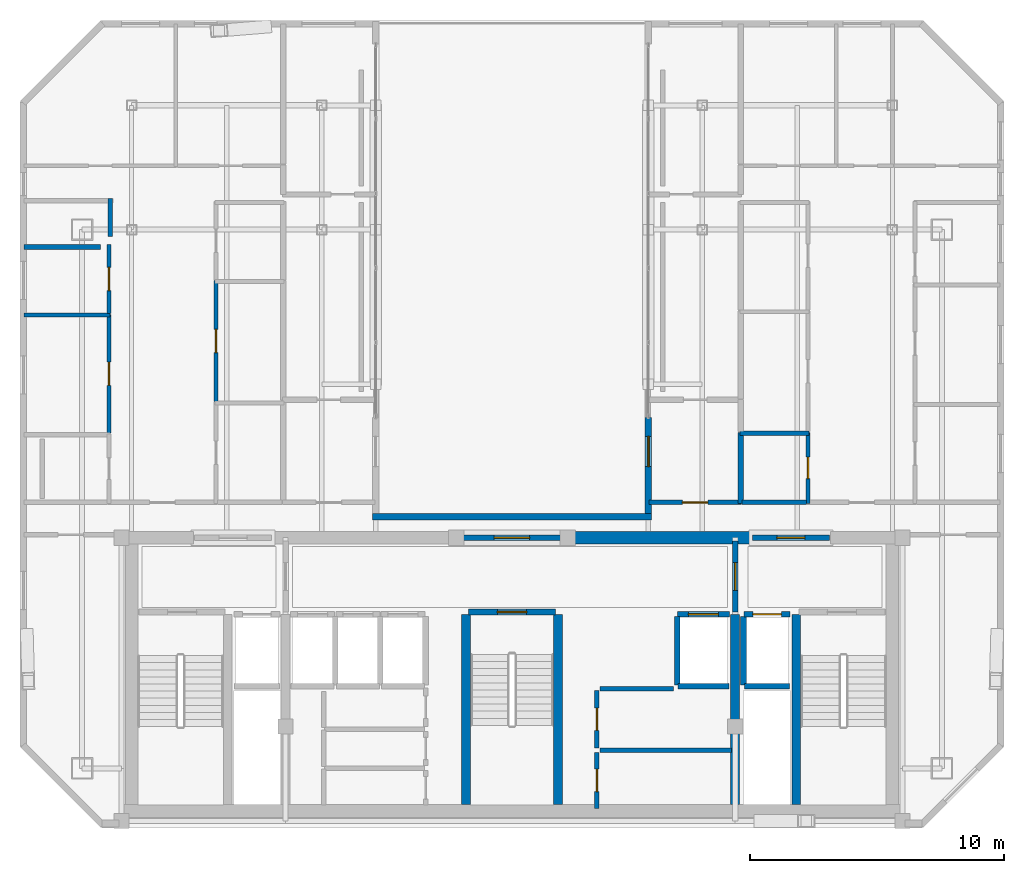
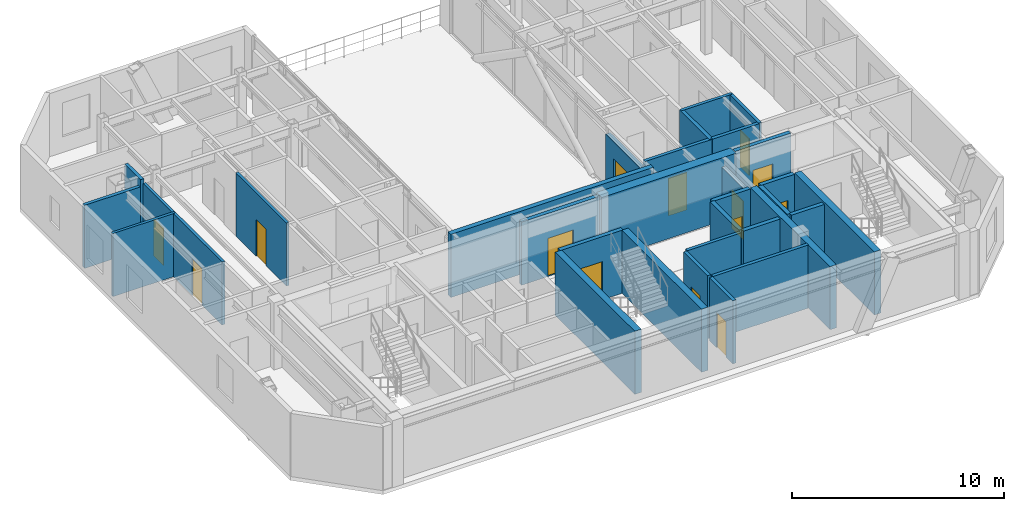
# One storey, part 10 of 14: 32 walls, 14 doors, 14 openings.
"""IFC4 building model written with IfcOpenShell, lengths in metres."""

from ifc_helpers import new_model, si_unit, direction, frame, frame_2d, origin, place, context, subcontext, project, spatial, rectangle, extrude, material, layer, layer_set, type_object, element, fill, save


model = new_model("IFC4")

# Units and contexts
model_context = context("Model", 3, precision=1e-05, world=origin(), true_north=direction((0.0, 1.0)))
body_context = subcontext(model_context, "Body", "Model", "MODEL_VIEW")
ifc_project = project(units=[si_unit("LENGTHUNIT", "METRE"), si_unit("AREAUNIT", "SQUARE_METRE"), si_unit("VOLUMEUNIT", "CUBIC_METRE"), si_unit("PLANEANGLEUNIT", "RADIAN"), si_unit("MASSUNIT", "GRAM", prefix="KILO")], contexts=[model_context])

# Site, building, storey
site_placement = place(None, origin())
site = spatial("IfcSite", under=ifc_project, at=site_placement, CompositionType="ELEMENT")
building_placement = place(site_placement, origin())
building = spatial("IfcBuilding", under=site, at=building_placement, Name="Ventersveld Concourse Tower", CompositionType="ELEMENT")
storey_placement = place(building_placement, frame((0.0, 0.0, 337.5)))
storey = spatial("IfcBuildingStorey", under=building, at=storey_placement, Name="L83", CompositionType="ELEMENT", Elevation=337.5)

# Walls
ifc_material_1 = material(Name="Concrete C50/60", Category="concrete")
ifc_layer_1 = layer(ifc_material_1, 0.35009765625)
ifc_layer_set_1 = layer_set([ifc_layer_1], Name="Concrete C50/60")
wall_type_1 = type_object("IfcWallType", Name="WL-CORE-350U", PredefinedType="SHEAR", material=ifc_layer_set_1)
for number, where, z_axis, x_axis, name in (
    (1, (26.93994140625, 0.919921875, 0.0), (0.0, 0.0, 1.0), (0.0, 1.0, 0.0), "L83 Core Internal Shear Web W-ST3-W"),
    (2, (30.56005859375, 0.919921875, 0.0), (0.0, 0.0, 1.0), (0.0, 1.0, 0.0), "L83 Core Internal Shear Web W-ST3-E"),
    (3, (37.550048828125, 0.919921875, 0.0), (0.0, 0.0, 1.0), (0.0, 1.0, 0.0), "L83 Core Internal Shear Web W-SVL-W"),
    (4, (39.9599609375, 0.919921875, 0.0), (0.0, 0.0, 1.0), (0.0, 1.0, 0.0), "L83 Core Internal Shear Web W-ST2-W"),
):
    element("IfcWall", number, at=place(storey_placement, frame(where, z_axis=z_axis, x_axis=x_axis)), inside=storey, type_object=wall_type_1, Name=name, PredefinedType="SHEAR", context=body_context, shape_type="SweptSolid", body=[
        extrude(rectangle(XDim=7.5, YDim=0.35009765625, at=frame_2d((3.75, 0.0))), origin(), (0.0, 0.0, 1.0), 3.6298828125),
    ])
ifc_layer_2 = layer(ifc_material_1, 0.5)
ifc_layer_set_2 = layer_set([ifc_layer_2], Name="Concrete C50/60")
wall_type_2 = type_object("IfcWallType", Name="WL-CORE-500", PredefinedType="SHEAR", material=ifc_layer_set_2)
wall_1_placement = place(storey_placement, frame((30.89990234375, 11.449951171875, 0.0), z_axis=(0.0, 0.0, 1.0), x_axis=(1.0, 0.0, 0.0)))
element("IfcWall", 5, at=wall_1_placement, inside=storey, type_object=wall_type_2, Name="L83 Rear Core North Shear Wall NMR", PredefinedType="SHEAR", context=body_context, shape_type="SweptSolid", body=[
    extrude(rectangle(XDim=7.300048828125, YDim=0.5, at=frame_2d((3.64990234375, 0.0))), origin(), (0.0, 0.0, 1.0), 3.6298828125),
])

# Wall, opening, door
ifc_material_2 = material(Name="Fire-rated autoclaved aerated masonry blockwork", Category="masonry")
ifc_layer_3 = layer(ifc_material_2, 0.179931640625)
ifc_layer_set_3 = layer_set([ifc_layer_3], Name="Fire-rated autoclaved aerated masonry blockwork")
wall_type_3 = type_object("IfcWallType", Name="WL-CORR-180", PredefinedType="PARTITIONING", material=ifc_layer_set_3)
wall_2_placement = place(storey_placement, frame((32.10009765625, 0.780029296875, 0.0), z_axis=(0.0, 0.0, 1.0), x_axis=(0.0, 1.0, 0.0)))
wall_2 = element("IfcWall", 6, at=wall_2_placement, inside=storey, type_object=wall_type_3, Name="L83 Core Passage Wall SP-L83-RECB2S", PredefinedType="PARTITIONING", context=body_context, shape_type="SweptSolid", body=[
    extrude(rectangle(XDim=2.199951171875, YDim=0.179931640625, at=frame_2d((1.10009765625, 0.0))), origin(), (0.0, 0.0, 1.0), 3.6298828125),
])
opening_1_placement = place(wall_2_placement, frame((0.659912109375, 0.0, 0.0)))
opening_1 = element("IfcOpeningElement", 7, at=opening_1_placement, cuts=wall_2, Name="Opening FD5", PredefinedType="OPENING", context=body_context, shape_type="SweptSolid", body=[
    extrude(rectangle(XDim=0.8798828125, YDim=2.050048828125, at=frame_2d((0.43994140625, 1.02490234375))), frame((0.0, 0.10009765625, 0.0), z_axis=(0.0, -1.0, 0.0), x_axis=(1.0, 0.0, 0.0)), (0.0, 0.0, 1.0), 0.199951171875),
])
ifc_material_3 = material(Name="Galvanised painted steel", Category="steel")
door_type_1 = type_object("IfcDoorType", Name="DR-RISER-088", OperationType="NOTDEFINED", PredefinedType="DOOR", material=ifc_material_3)
door_1_placement = place(opening_1_placement, origin())
door_1 = element("IfcDoor", 8, at=door_1_placement, inside=storey, type_object=door_type_1, Name="L83 Core Room Door L83 Reclaimed Core Quiet Library Pod (CD-L83-3739)", OperationType="SINGLE_SWING_RIGHT", OverallHeight=2.050048828125, OverallWidth=0.8798828125, PredefinedType="DOOR", context=body_context, shape_type="SweptSolid", body=[
    extrude(rectangle(XDim=0.8798828125, YDim=2.050048828125, at=frame_2d((0.43994140625, 1.02490234375))), frame((0.0, 0.02490234375, 0.0), z_axis=(0.0, -1.0, 0.0), x_axis=(1.0, 0.0, 0.0)), (0.0, 0.0, 1.0), 0.050048828125),
])
fill(opening_1, door_1)

# Wall
wall_3_placement = place(storey_placement, frame((32.219970703125, 3.06005859375, 0.0), z_axis=(0.0, 0.0, 1.0), x_axis=(1.0, 0.0, 0.0)))
element("IfcWall", 9, at=wall_3_placement, inside=storey, type_object=wall_type_3, Name="L83 Core Top Wall SP-L83-RECB2S", PredefinedType="PARTITIONING", context=body_context, shape_type="SweptSolid", body=[
    extrude(rectangle(XDim=5.179931640625, YDim=0.179931640625, at=frame_2d((2.58984375, 0.0))), origin(), (0.0, 0.0, 1.0), 3.6298828125),
])

# Wall, opening, door
wall_4_placement = place(storey_placement, frame((32.10009765625, 3.159912109375, 0.0), z_axis=(0.0, 0.0, 1.0), x_axis=(0.0, 1.0, 0.0)))
wall_4 = element("IfcWall", 10, at=wall_4_placement, inside=storey, type_object=wall_type_3, Name="L83 Core Passage Wall SP-L83-RECB2N", PredefinedType="PARTITIONING", context=body_context, shape_type="SweptSolid", body=[
    extrude(rectangle(XDim=2.260009765625, YDim=0.179931640625, at=frame_2d((1.1298828125, 0.0))), origin(), (0.0, 0.0, 1.0), 3.6298828125),
])
opening_2_placement = place(wall_4_placement, frame((0.68994140625, 0.0, 0.0)))
opening_2 = element("IfcOpeningElement", 11, at=opening_2_placement, cuts=wall_4, Name="Opening FD5", PredefinedType="OPENING", context=body_context, shape_type="SweptSolid", body=[
    extrude(rectangle(XDim=0.8798828125, YDim=2.050048828125, at=frame_2d((0.43994140625, 1.02490234375))), frame((0.0, 0.10009765625, 0.0), z_axis=(0.0, -1.0, 0.0), x_axis=(1.0, 0.0, 0.0)), (0.0, 0.0, 1.0), 0.199951171875),
])
door_2_placement = place(opening_2_placement, origin())
door_2 = element("IfcDoor", 12, at=door_2_placement, inside=storey, type_object=door_type_1, Name="L83 Core Room Door L83 Reclaimed Core Music Practice Room (CD-L83-3740)", OperationType="SINGLE_SWING_LEFT", OverallHeight=2.050048828125, OverallWidth=0.8798828125, PredefinedType="DOOR", context=body_context, shape_type="SweptSolid", body=[
    extrude(rectangle(XDim=0.8798828125, YDim=2.050048828125, at=frame_2d((0.43994140625, 1.02490234375))), frame((0.0, 0.02490234375, 0.0), z_axis=(0.0, -1.0, 0.0), x_axis=(1.0, 0.0, 0.0)), (0.0, 0.0, 1.0), 0.050048828125),
])
fill(opening_2, door_2)

# Wall
wall_5_placement = place(storey_placement, frame((32.219970703125, 5.5, 0.0), z_axis=(0.0, 0.0, 1.0), x_axis=(1.0, 0.0, 0.0)))
element("IfcWall", 13, at=wall_5_placement, inside=storey, type_object=wall_type_3, Name="L83 Core Top Wall SP-L83-RECB2N", PredefinedType="PARTITIONING", context=body_context, shape_type="SweptSolid", body=[
    extrude(rectangle(XDim=2.900146484375, YDim=0.179931640625, at=frame_2d((1.4501953125, 0.0))), origin(), (0.0, 0.0, 1.0), 3.6298828125),
])

# Wall, opening, door
wall_6_placement = place(storey_placement, frame((34.1494140625, 12.840087890625, 0.0), z_axis=(0.0, 0.0, 1.0), x_axis=(1.0, 0.0, 0.0)))
wall_6 = element("IfcWall", 14, at=wall_6_placement, inside=storey, type_object=wall_type_3, Name="L83 Interior Partition SP-L83-COR-E-SP-L83-WPLNG-E", PredefinedType="PARTITIONING", context=body_context, shape_type="SweptSolid", body=[
    extrude(rectangle(XDim=3.6455078125, YDim=0.179931640625, at=frame_2d((1.82275390625, 0.0))), origin(), (0.0, 0.0, 1.0), 3.6298828125),
])
opening_3_placement = place(wall_6_placement, frame((1.32275390625, 0.0, 0.0)))
opening_3 = element("IfcOpeningElement", 15, at=opening_3_placement, cuts=wall_6, Name="Opening FD3", PredefinedType="OPENING", context=body_context, shape_type="SweptSolid", body=[
    extrude(rectangle(XDim=1.0, YDim=2.14990234375, at=frame_2d((0.5, 1.074951171875))), frame((0.0, 0.10009765625, 0.0), z_axis=(0.0, -1.0, 0.0), x_axis=(1.0, 0.0, 0.0)), (0.0, 0.0, 1.0), 0.199951171875),
])
ifc_material_4 = material(Name="Solid-core hardwood veneer timber", Category="wood")
door_type_2 = type_object("IfcDoorType", Name="DR-FLAT-100", OperationType="NOTDEFINED", PredefinedType="DOOR", material=ifc_material_4)
door_3_placement = place(opening_3_placement, origin())
door_3 = element("IfcDoor", 16, at=door_3_placement, inside=storey, type_object=door_type_2, Name="L83 Interior Door SP-L83-COR-E to SP-L83-WPLNG-E (D-L83-3745)", OperationType="SINGLE_SWING_LEFT", OverallHeight=2.14990234375, OverallWidth=1.0, PredefinedType="DOOR", context=body_context, shape_type="SweptSolid", body=[
    extrude(rectangle(XDim=1.0, YDim=2.14990234375, at=frame_2d((0.5, 1.074951171875))), frame((0.0, 0.02490234375, 0.0), z_axis=(0.0, -1.0, 0.0), x_axis=(1.0, 0.0, 0.0)), (0.0, 0.0, 1.0), 0.050048828125),
])
fill(opening_3, door_3)

# Walls
wall_7_placement = place(storey_placement, frame((37.824951171875, 12.840087890625, 0.0), z_axis=(0.0, 0.0, 1.0), x_axis=(1.0, 0.0, 0.0)))
element("IfcWall", 17, at=wall_7_placement, inside=storey, type_object=wall_type_3, Name="L83 Interior Partition SP-L83-COR-E-SP-L83-83EB-BATH", PredefinedType="PARTITIONING", context=body_context, shape_type="SweptSolid", body=[
    extrude(rectangle(XDim=2.536865234375, YDim=0.179931640625, at=frame_2d((1.2685546875, 0.0))), origin(), (0.0, 0.0, 1.0), 3.6298828125),
])
wall_8_placement = place(storey_placement, frame((12.91455078125, 23.3291015625, 0.0), z_axis=(0.0, 0.0, 1.0), x_axis=(0.0, 1.0, 0.0)))
element("IfcWall", 18, at=wall_8_placement, inside=storey, type_object=wall_type_3, Name="L83 Room Enclosure Wall SP-L83-83WA-LIV", PredefinedType="PARTITIONING", context=body_context, shape_type="SweptSolid", body=[
    extrude(rectangle(XDim=1.499755859375, YDim=0.179931640625, at=frame_2d((0.75, 0.0))), origin(), (0.0, 0.0, 1.0), 3.6298828125),
])
wall_9_placement = place(storey_placement, frame((9.497802734375, 22.913818359375, 0.0), z_axis=(0.0, 0.0, 1.0), x_axis=(1.0, 0.0, 0.0)))
element("IfcWall", 19, at=wall_9_placement, inside=storey, type_object=wall_type_3, Name="L83 Room Enclosure Wall SP-L83-83WA-MEDL2", PredefinedType="PARTITIONING", context=body_context, shape_type="SweptSolid", body=[
    extrude(rectangle(XDim=3.03173828125, YDim=0.179931640625, at=frame_2d((1.515869140625, 0.0))), origin(), (0.0, 0.0, 1.0), 3.6298828125),
])
ifc_layer_4 = layer(ifc_material_2, 0.199951171875)
ifc_layer_set_4 = layer_set([ifc_layer_4], Name="Fire-rated autoclaved aerated masonry blockwork")
wall_type_4 = type_object("IfcWallType", Name="WL-DEMISE-200", PredefinedType="PARTITIONING", material=ifc_layer_set_4)
wall_10_placement = place(storey_placement, frame((37.77001953125, 12.804931640625, 0.0), z_axis=(0.0, 0.0, 1.0), x_axis=(0.0, 1.0, 0.0)))
element("IfcWall", 20, at=wall_10_placement, inside=storey, type_object=wall_type_4, Name="L83 Interior Partition SP-L83-WPLNG-E-SP-L83-83EB-BATH", PredefinedType="PARTITIONING", context=body_context, shape_type="SweptSolid", body=[
    extrude(rectangle(XDim=2.802001953125, YDim=0.199951171875, at=frame_2d((1.40087890625, 0.0))), origin(), (0.0, 0.0, 1.0), 3.6298828125),
])
ifc_layer_5 = layer(ifc_material_2, 0.219970703125)
ifc_layer_set_5 = layer_set([ifc_layer_5], Name="Fire-rated autoclaved aerated masonry blockwork")
wall_type_5 = type_object("IfcWallType", Name="WL-HOIST-220", PredefinedType="SOLIDWALL", material=ifc_layer_set_5)
wall_11_placement = place(storey_placement, frame((37.919921875, 5.590087890625, 0.0), z_axis=(0.0, 0.0, 1.0), x_axis=(1.0, 0.0, 0.0)))
element("IfcWall", 21, at=wall_11_placement, inside=storey, type_object=wall_type_5, Name="L83 Lift Hoistway Back Wall FFL-02", PredefinedType="SOLIDWALL", context=body_context, shape_type="SweptSolid", body=[
    extrude(rectangle(XDim=1.780029296875, YDim=0.219970703125, at=frame_2d((0.89013671875, 0.0))), origin(), (0.0, 0.0, 1.0), 3.6298828125),
])
wall_12_placement = place(storey_placement, frame((37.8798828125, 5.64990234375, 0.0), z_axis=(0.0, 0.0, 1.0), x_axis=(0.0, 1.0, 0.0)))
element("IfcWall", 22, at=wall_12_placement, inside=storey, type_object=wall_type_5, Name="L83 Lift Hoistway Side Wall FFL-02W", PredefinedType="SOLIDWALL", context=body_context, shape_type="SweptSolid", body=[
    extrude(rectangle(XDim=2.7001953125, YDim=0.219970703125, at=frame_2d((1.35009765625, 0.0))), origin(), (0.0, 0.0, 1.0), 3.6298828125),
])

# Wall, opening, door
wall_13_placement = place(storey_placement, frame((37.89990234375, 8.429931640625, 0.0), z_axis=(0.0, 0.0, 1.0), x_axis=(1.0, 0.0, 0.0)))
wall_13 = element("IfcWall", 23, at=wall_13_placement, inside=storey, type_object=wall_type_5, Name="L83 Lift Hoistway Front Wall FFL-02", PredefinedType="SOLIDWALL", context=body_context, shape_type="SweptSolid", body=[
    extrude(rectangle(XDim=1.820068359375, YDim=0.219970703125, at=frame_2d((0.91015625, 0.0))), origin(), (0.0, 0.0, 1.0), 3.6298828125),
])
opening_4_placement = place(wall_13_placement, frame((0.35009765625, 0.0, 0.0)))
opening_4 = element("IfcOpeningElement", 24, at=opening_4_placement, cuts=wall_13, Name="Opening LD1", PredefinedType="OPENING", context=body_context, shape_type="SweptSolid", body=[
    extrude(rectangle(XDim=1.1201171875, YDim=2.25, at=frame_2d((0.56005859375, 1.125))), frame((0.0, 0.1201171875, 0.0), z_axis=(0.0, -1.0, 0.0), x_axis=(1.0, 0.0, 0.0)), (0.0, 0.0, 1.0), 0.239990234375),
])
ifc_material_5 = material(Name="Brushed stainless steel 316", Category="steel")
door_type_3 = type_object("IfcDoorType", Name="LD-FF-112", OperationType="SLIDING_TO_LEFT", PredefinedType="DOOR", material=ifc_material_5)
door_4_placement = place(opening_4_placement, origin())
door_4 = element("IfcDoor", 25, at=door_4_placement, inside=storey, type_object=door_type_3, Name="L83 Lift landing door FFL-02 (LD-L83-FFL-02)", OperationType="SLIDING_TO_LEFT", OverallHeight=2.25, OverallWidth=1.1201171875, PredefinedType="DOOR", context=body_context, shape_type="SweptSolid", body=[
    extrude(rectangle(XDim=1.1201171875, YDim=2.25, at=frame_2d((0.56005859375, 1.125))), frame((0.0, 0.02490234375, 0.0), z_axis=(0.0, -1.0, 0.0), x_axis=(1.0, 0.0, 0.0)), (0.0, 0.0, 1.0), 0.050048828125),
])
fill(opening_4, door_4)

# Walls
wall_14_placement = place(storey_placement, frame((35.300048828125, 5.590087890625, 0.0), z_axis=(0.0, 0.0, 1.0), x_axis=(1.0, 0.0, 0.0)))
element("IfcWall", 26, at=wall_14_placement, inside=storey, type_object=wall_type_5, Name="L83 Lift Hoistway Back Wall SVL-01", PredefinedType="SOLIDWALL", context=body_context, shape_type="SweptSolid", body=[
    extrude(rectangle(XDim=2.0, YDim=0.219970703125, at=frame_2d((1.0, 0.0))), origin(), (0.0, 0.0, 1.0), 3.6298828125),
])
wall_15_placement = place(storey_placement, frame((35.260009765625, 5.64990234375, 0.0), z_axis=(0.0, 0.0, 1.0), x_axis=(0.0, 1.0, 0.0)))
element("IfcWall", 27, at=wall_15_placement, inside=storey, type_object=wall_type_5, Name="L83 Lift Hoistway Side Wall SVL-01W", PredefinedType="SOLIDWALL", context=body_context, shape_type="SweptSolid", body=[
    extrude(rectangle(XDim=2.7001953125, YDim=0.219970703125, at=frame_2d((1.35009765625, 0.0))), origin(), (0.0, 0.0, 1.0), 3.6298828125),
])

# Wall, opening, door
wall_16_placement = place(storey_placement, frame((35.280029296875, 8.429931640625, 0.0), z_axis=(0.0, 0.0, 1.0), x_axis=(1.0, 0.0, 0.0)))
wall_16 = element("IfcWall", 28, at=wall_16_placement, inside=storey, type_object=wall_type_5, Name="L83 Lift Hoistway Front Wall SVL-01", PredefinedType="SOLIDWALL", context=body_context, shape_type="SweptSolid", body=[
    extrude(rectangle(XDim=2.0400390625, YDim=0.219970703125, at=frame_2d((1.02001953125, 0.0))), origin(), (0.0, 0.0, 1.0), 3.6298828125),
])
opening_5_placement = place(wall_16_placement, frame((0.429931640625, 0.0, 0.0)))
opening_5 = element("IfcOpeningElement", 29, at=opening_5_placement, cuts=wall_16, Name="Opening LD2", PredefinedType="OPENING", context=body_context, shape_type="SweptSolid", body=[
    extrude(rectangle(XDim=1.179931640625, YDim=2.199951171875, at=frame_2d((0.58984375, 1.10009765625))), frame((0.0, 0.1201171875, 0.0), z_axis=(0.0, -1.0, 0.0), x_axis=(1.0, 0.0, 0.0)), (0.0, 0.0, 1.0), 0.239990234375),
])
door_type_4 = type_object("IfcDoorType", Name="LD-PAX-118", OperationType="SLIDING_TO_LEFT", PredefinedType="DOOR", material=ifc_material_5)
door_5_placement = place(opening_5_placement, origin())
door_5 = element("IfcDoor", 30, at=door_5_placement, inside=storey, type_object=door_type_4, Name="L83 Lift landing door SVL-01 (LD-L83-SVL-01)", OperationType="SLIDING_TO_RIGHT", OverallHeight=2.199951171875, OverallWidth=1.179931640625, PredefinedType="DOOR", context=body_context, shape_type="SweptSolid", body=[
    extrude(rectangle(XDim=1.179931640625, YDim=2.199951171875, at=frame_2d((0.58984375, 1.10009765625))), frame((0.0, 0.02490234375, 0.0), z_axis=(0.0, -1.0, 0.0), x_axis=(1.0, 0.0, 0.0)), (0.0, 0.0, 1.0), 0.050048828125),
])
fill(opening_5, door_5)

wall_17_placement = place(storey_placement, frame((27.0400390625, 8.52001953125, 0.0), z_axis=(0.0, 0.0, 1.0), x_axis=(1.0, 0.0, 0.0)))
wall_17 = element("IfcWall", 31, at=wall_17_placement, inside=storey, type_object=wall_type_5, Name="L83 Escape Stair ST03 Fire Wall", PredefinedType="SOLIDWALL", context=body_context, shape_type="SweptSolid", body=[
    extrude(rectangle(XDim=3.419921875, YDim=0.219970703125, at=frame_2d((1.7099609375, 0.0))), origin(), (0.0, 0.0, 1.0), 3.6298828125),
])
opening_6_placement = place(wall_17_placement, frame((1.135009765625, 0.0, 0.0)))
opening_6 = element("IfcOpeningElement", 32, at=opening_6_placement, cuts=wall_17, Name="Opening FD1", PredefinedType="OPENING", context=body_context, shape_type="SweptSolid", body=[
    extrude(rectangle(XDim=1.14990234375, YDim=2.199951171875, at=frame_2d((0.574951171875, 1.10009765625))), frame((0.0, 0.1201171875, 0.0), z_axis=(0.0, -1.0, 0.0), x_axis=(1.0, 0.0, 0.0)), (0.0, 0.0, 1.0), 0.239990234375),
])
door_type_5 = type_object("IfcDoorType", Name="DR-STAIR-115", OperationType="NOTDEFINED", PredefinedType="DOOR", material=ifc_material_3)
door_6_placement = place(opening_6_placement, origin())
door_6 = element("IfcDoor", 33, at=door_6_placement, inside=storey, type_object=door_type_5, Name="L83 Escape Stair Door ST03 (SD-L83-3730)", OperationType="SINGLE_SWING_LEFT", OverallHeight=2.199951171875, OverallWidth=1.14990234375, PredefinedType="DOOR", context=body_context, shape_type="SweptSolid", body=[
    extrude(rectangle(XDim=1.14990234375, YDim=2.199951171875, at=frame_2d((0.574951171875, 1.10009765625))), frame((0.0, 0.02490234375, 0.0), z_axis=(0.0, -1.0, 0.0), x_axis=(1.0, 0.0, 0.0)), (0.0, 0.0, 1.0), 0.050048828125),
])
fill(opening_6, door_6)

wall_18_placement = place(storey_placement, frame((37.550048828125, 8.52001953125, 0.0), z_axis=(0.0, 0.0, 1.0), x_axis=(0.0, 1.0, 0.0)))
wall_18 = element("IfcWall", 34, at=wall_18_placement, inside=storey, type_object=wall_type_5, Name="L83 Firefighting Lobby Smoke-Stop Wall FFLE-SEP", PredefinedType="SOLIDWALL", context=body_context, shape_type="SweptSolid", body=[
    extrude(rectangle(XDim=2.800048828125, YDim=0.219970703125, at=frame_2d((1.39990234375, 0.0))), origin(), (0.0, 0.0, 1.0), 3.08544921875),
])
opening_7_placement = place(wall_18_placement, frame((0.85009765625, 0.0, 0.0)))
opening_7 = element("IfcOpeningElement", 35, at=opening_7_placement, cuts=wall_18, Name="Opening FD2", PredefinedType="OPENING", context=body_context, shape_type="SweptSolid", body=[
    extrude(rectangle(XDim=1.10009765625, YDim=2.199951171875, at=frame_2d((0.550048828125, 1.10009765625))), frame((0.0, 0.1201171875, 0.0), z_axis=(0.0, -1.0, 0.0), x_axis=(1.0, 0.0, 0.0)), (0.0, 0.0, 1.0), 0.239990234375),
])
door_type_6 = type_object("IfcDoorType", Name="DR-FFL-110", OperationType="NOTDEFINED", PredefinedType="DOOR", material=ifc_material_3)
door_7_placement = place(opening_7_placement, origin())
door_7 = element("IfcDoor", 36, at=door_7_placement, inside=storey, type_object=door_type_6, Name="L83 Firefighting Lobby Door FFLE-SEP (FD-L83-3732)", OperationType="SINGLE_SWING_RIGHT", OverallHeight=2.199951171875, OverallWidth=1.10009765625, PredefinedType="DOOR", context=body_context, shape_type="SweptSolid", body=[
    extrude(rectangle(XDim=1.10009765625, YDim=2.199951171875, at=frame_2d((0.550048828125, 1.10009765625))), frame((0.0, 0.02490234375, 0.0), z_axis=(0.0, -1.0, 0.0), x_axis=(1.0, 0.0, 0.0)), (0.0, 0.0, 1.0), 0.050048828125),
])
fill(opening_7, door_7)

wall_19_placement = place(storey_placement, frame((26.6298828125, 11.449951171875, 0.0), z_axis=(0.0, 0.0, 1.0), x_axis=(1.0, 0.0, 0.0)))
wall_19 = element("IfcWall", 37, at=wall_19_placement, inside=storey, type_object=wall_type_5, Name="L83 Core North Fire Portal PLOB-OUT", PredefinedType="SOLIDWALL", context=body_context, shape_type="SweptSolid", body=[
    extrude(rectangle(XDim=4.240234375, YDim=0.219970703125, at=frame_2d((2.1201171875, 0.0))), origin(), (0.0, 0.0, 1.0), 3.6298828125),
])
opening_8_placement = place(wall_19_placement, frame((1.419921875, 0.0, 0.0)))
opening_8 = element("IfcOpeningElement", 38, at=opening_8_placement, cuts=wall_19, Name="Opening FD4", PredefinedType="OPENING", context=body_context, shape_type="SweptSolid", body=[
    extrude(rectangle(XDim=1.39990234375, YDim=2.199951171875, at=frame_2d((0.699951171875, 1.10009765625))), frame((0.0, 0.1201171875, 0.0), z_axis=(0.0, -1.0, 0.0), x_axis=(1.0, 0.0, 0.0)), (0.0, 0.0, 1.0), 0.239990234375),
])
door_type_7 = type_object("IfcDoorType", Name="DR-PLANT-140", OperationType="DOUBLE_DOOR_SINGLE_SWING", PredefinedType="DOOR", material=ifc_material_3)
door_8_placement = place(opening_8_placement, origin())
door_8 = element("IfcDoor", 39, at=door_8_placement, inside=storey, type_object=door_type_7, Name="L83 Core Lobby Fire Door PLOB-OUT (FD-L83-3734)", OperationType="DOUBLE_DOOR_SINGLE_SWING", OverallHeight=2.199951171875, OverallWidth=1.39990234375, PredefinedType="DOOR", context=body_context, shape_type="SweptSolid", body=[
    extrude(rectangle(XDim=1.39990234375, YDim=2.199951171875, at=frame_2d((0.699951171875, 1.10009765625))), frame((0.0, 0.02490234375, 0.0), z_axis=(0.0, -1.0, 0.0), x_axis=(1.0, 0.0, 0.0)), (0.0, 0.0, 1.0), 0.050048828125),
])
fill(opening_8, door_8)

wall_20_placement = place(storey_placement, frame((38.22998046875, 11.449951171875, 0.0), z_axis=(0.0, 0.0, 1.0), x_axis=(1.0, 0.0, 0.0)))
wall_20 = element("IfcWall", 40, at=wall_20_placement, inside=storey, type_object=wall_type_5, Name="L83 Core North Fire Portal FFLE-OUT", PredefinedType="SOLIDWALL", context=body_context, shape_type="SweptSolid", body=[
    extrude(rectangle(XDim=3.0400390625, YDim=0.219970703125, at=frame_2d((1.52001953125, 0.0))), origin(), (0.0, 0.0, 1.0), 3.6298828125),
])
opening_9_placement = place(wall_20_placement, frame((0.969970703125, 0.0, 0.0)))
opening_9 = element("IfcOpeningElement", 41, at=opening_9_placement, cuts=wall_20, Name="Opening FD2", PredefinedType="OPENING", context=body_context, shape_type="SweptSolid", body=[
    extrude(rectangle(XDim=1.10009765625, YDim=2.199951171875, at=frame_2d((0.550048828125, 1.10009765625))), frame((0.0, 0.1201171875, 0.0), z_axis=(0.0, -1.0, 0.0), x_axis=(1.0, 0.0, 0.0)), (0.0, 0.0, 1.0), 0.239990234375),
])
door_9_placement = place(opening_9_placement, origin())
door_9 = element("IfcDoor", 42, at=door_9_placement, inside=storey, type_object=door_type_6, Name="L83 Core Lobby Fire Door FFLE-OUT (FD-L83-3735)", OperationType="SINGLE_SWING_LEFT", OverallHeight=2.199951171875, OverallWidth=1.10009765625, PredefinedType="DOOR", context=body_context, shape_type="SweptSolid", body=[
    extrude(rectangle(XDim=1.10009765625, YDim=2.199951171875, at=frame_2d((0.550048828125, 1.10009765625))), frame((0.0, 0.02490234375, 0.0), z_axis=(0.0, -1.0, 0.0), x_axis=(1.0, 0.0, 0.0)), (0.0, 0.0, 1.0), 0.050048828125),
])
fill(opening_9, door_9)

ifc_material_6 = material(Name="Autoclaved aerated masonry blockwork", Category="masonry")
ifc_layer_6 = layer(ifc_material_6, 0.14990234375)
ifc_layer_set_6 = layer_set([ifc_layer_6], Name="Autoclaved aerated masonry blockwork")
wall_type_6 = type_object("IfcWallType", Name="WL-INT-150", PredefinedType="PARTITIONING", material=ifc_layer_set_6)
wall_21_placement = place(storey_placement, frame((12.8544921875, 15.572998046875, 0.0), z_axis=(0.0, 0.0, 1.0), x_axis=(0.0, 1.0, 0.0)))
wall_21 = element("IfcWall", 43, at=wall_21_placement, inside=storey, type_object=wall_type_6, Name="L83 Interior Partition SP-L83-83WA-LIV-SP-L83-83WA-MEDL0", PredefinedType="PARTITIONING", context=body_context, shape_type="SweptSolid", body=[
    extrude(rectangle(XDim=4.688232421875, YDim=0.14990234375, at=frame_2d((2.34423828125, 0.0))), origin(), (0.0, 0.0, 1.0), 3.6298828125),
])
opening_10_placement = place(wall_21_placement, frame((1.88427734375, 0.0, 0.0)))
opening_10 = element("IfcOpeningElement", 44, at=opening_10_placement, cuts=wall_21, Name="Opening ID1", PredefinedType="OPENING", context=body_context, shape_type="SweptSolid", body=[
    extrude(rectangle(XDim=0.919921875, YDim=2.10009765625, at=frame_2d((0.4599609375, 1.050048828125))), frame((0.0, 0.0849609375, 0.0), z_axis=(0.0, -1.0, 0.0), x_axis=(1.0, 0.0, 0.0)), (0.0, 0.0, 1.0), 0.169921875),
])
door_type_8 = type_object("IfcDoorType", Name="DR-ROOM-092", OperationType="NOTDEFINED", PredefinedType="DOOR", material=ifc_material_4)
door_10_placement = place(opening_10_placement, origin())
door_10 = element("IfcDoor", 45, at=door_10_placement, inside=storey, type_object=door_type_8, Name="L83 Interior Door SP-L83-83WA-LIV to SP-L83-83WA-MEDL0 (D-L83-3752)", OperationType="SINGLE_SWING_RIGHT", OverallHeight=2.10009765625, OverallWidth=0.919921875, PredefinedType="DOOR", context=body_context, shape_type="SweptSolid", body=[
    extrude(rectangle(XDim=0.919921875, YDim=2.10009765625, at=frame_2d((0.4599609375, 1.050048828125))), frame((0.0, 0.02490234375, 0.0), z_axis=(0.0, -1.0, 0.0), x_axis=(1.0, 0.0, 0.0)), (0.0, 0.0, 1.0), 0.050048828125),
])
fill(opening_10, door_10)

wall_22_placement = place(storey_placement, frame((12.8544921875, 20.291259765625, 0.0), z_axis=(0.0, 0.0, 1.0), x_axis=(0.0, 1.0, 0.0)))
wall_22 = element("IfcWall", 46, at=wall_22_placement, inside=storey, type_object=wall_type_6, Name="L83 Interior Partition SP-L83-83WA-LIV-SP-L83-83WA-MEDL2", PredefinedType="PARTITIONING", context=body_context, shape_type="SweptSolid", body=[
    extrude(rectangle(XDim=2.717529296875, YDim=0.14990234375, at=frame_2d((1.35888671875, 0.0))), origin(), (0.0, 0.0, 1.0), 3.6298828125),
])
opening_11_placement = place(wall_22_placement, frame((0.898681640625, 0.0, 0.0)))
opening_11 = element("IfcOpeningElement", 47, at=opening_11_placement, cuts=wall_22, Name="Opening ID1", PredefinedType="OPENING", context=body_context, shape_type="SweptSolid", body=[
    extrude(rectangle(XDim=0.919921875, YDim=2.10009765625, at=frame_2d((0.4599609375, 1.050048828125))), frame((0.0, 0.0849609375, 0.0), z_axis=(0.0, -1.0, 0.0), x_axis=(1.0, 0.0, 0.0)), (0.0, 0.0, 1.0), 0.169921875),
])
door_11_placement = place(opening_11_placement, origin())
door_11 = element("IfcDoor", 48, at=door_11_placement, inside=storey, type_object=door_type_8, Name="L83 Interior Door SP-L83-83WA-LIV to SP-L83-83WA-MEDL2 (D-L83-3753)", OperationType="SINGLE_SWING_LEFT", OverallHeight=2.10009765625, OverallWidth=0.919921875, PredefinedType="DOOR", context=body_context, shape_type="SweptSolid", body=[
    extrude(rectangle(XDim=0.919921875, YDim=2.10009765625, at=frame_2d((0.4599609375, 1.050048828125))), frame((0.0, 0.02490234375, 0.0), z_axis=(0.0, -1.0, 0.0), x_axis=(1.0, 0.0, 0.0)), (0.0, 0.0, 1.0), 0.050048828125),
])
fill(opening_11, door_11)

wall_23_placement = place(storey_placement, frame((17.072998046875, 16.823974609375, 0.0), z_axis=(0.0, 0.0, 1.0), x_axis=(0.0, 1.0, 0.0)))
wall_23 = element("IfcWall", 49, at=wall_23_placement, inside=storey, type_object=wall_type_6, Name="L83 Interior Partition SP-L83-83WA-LIV-SP-L83-83WA-MEDR1", PredefinedType="PARTITIONING", context=body_context, shape_type="SweptSolid", body=[
    extrude(rectangle(XDim=4.759521484375, YDim=0.14990234375, at=frame_2d((2.3798828125, 0.0))), origin(), (0.0, 0.0, 1.0), 3.6298828125),
])
opening_12_placement = place(wall_23_placement, frame((1.919921875, 0.0, 0.0)))
opening_12 = element("IfcOpeningElement", 50, at=opening_12_placement, cuts=wall_23, Name="Opening ID1", PredefinedType="OPENING", context=body_context, shape_type="SweptSolid", body=[
    extrude(rectangle(XDim=0.919921875, YDim=2.10009765625, at=frame_2d((0.4599609375, 1.050048828125))), frame((0.0, 0.0849609375, 0.0), z_axis=(0.0, -1.0, 0.0), x_axis=(1.0, 0.0, 0.0)), (0.0, 0.0, 1.0), 0.169921875),
])
door_12_placement = place(opening_12_placement, origin())
door_12 = element("IfcDoor", 51, at=door_12_placement, inside=storey, type_object=door_type_8, Name="L83 Interior Door SP-L83-83WA-LIV to SP-L83-83WA-MEDR1 (D-L83-3755)", OperationType="SINGLE_SWING_LEFT", OverallHeight=2.10009765625, OverallWidth=0.919921875, PredefinedType="DOOR", context=body_context, shape_type="SweptSolid", body=[
    extrude(rectangle(XDim=0.919921875, YDim=2.10009765625, at=frame_2d((0.4599609375, 1.050048828125))), frame((0.0, 0.02490234375, 0.0), z_axis=(0.0, -1.0, 0.0), x_axis=(1.0, 0.0, 0.0)), (0.0, 0.0, 1.0), 0.050048828125),
])
fill(opening_12, door_12)

# Wall
wall_24_placement = place(storey_placement, frame((9.497802734375, 20.226318359375, 0.0), z_axis=(0.0, 0.0, 1.0), x_axis=(1.0, 0.0, 0.0)))
element("IfcWall", 52, at=wall_24_placement, inside=storey, type_object=wall_type_6, Name="L83 Interior Partition SP-L83-83WA-MEDL0-SP-L83-83WA-MEDL2", PredefinedType="PARTITIONING", context=body_context, shape_type="SweptSolid", body=[
    extrude(rectangle(XDim=3.3916015625, YDim=0.14990234375, at=frame_2d((1.69580078125, 0.0))), origin(), (0.0, 0.0, 1.0), 3.6298828125),
])

# Wall, opening, door
ifc_material_7 = material(Name="Precast concrete C45/55", Category="concrete")
ifc_layer_7 = layer(ifc_material_7, 0.260009765625)
ifc_layer_set_7 = layer_set([ifc_layer_7], Name="Precast concrete C45/55")
wall_type_7 = type_object("IfcWallType", Name="WL-PREC-260", PredefinedType="SOLIDWALL", material=ifc_layer_set_7)
wall_25_placement = place(storey_placement, frame((34.1298828125, 12.39990234375, 0.0), z_axis=(0.0, 0.0, 1.0), x_axis=(0.0, 1.0, 0.0)))
wall_25 = element("IfcWall", 53, at=wall_25_placement, inside=storey, type_object=wall_type_7, Name="L83 Wind Portal South Cheek Pier", PredefinedType="SOLIDWALL", context=body_context, shape_type="SweptSolid", body=[
    extrude(rectangle(XDim=3.800048828125, YDim=0.260009765625, at=frame_2d((1.89990234375, 0.0))), origin(), (0.0, 0.0, 1.0), 3.169921875),
])
opening_13_placement = place(wall_25_placement, frame((1.85009765625, 0.0, 0.0)))
opening_13 = element("IfcOpeningElement", 54, at=opening_13_placement, cuts=wall_25, Name="Opening TD1", PredefinedType="OPENING", context=body_context, shape_type="SweptSolid", body=[
    extrude(rectangle(XDim=1.199951171875, YDim=2.199951171875, at=frame_2d((0.60009765625, 1.10009765625))), frame((0.0, 0.14013671875, 0.0), z_axis=(0.0, -1.0, 0.0), x_axis=(1.0, 0.0, 0.0)), (0.0, 0.0, 1.0), 0.280029296875),
])
ifc_material_8 = material(Name="Anodised aluminium EN AW-6063-T6", Category="aluminium")
door_type_9 = type_object("IfcDoorType", Name="DR-TERR-120", OperationType="NOTDEFINED", PredefinedType="DOOR", material=ifc_material_8)
door_13_placement = place(opening_13_placement, origin())
door_13 = element("IfcDoor", 55, at=door_13_placement, inside=storey, type_object=door_type_9, Name="L83 Wind Portal Deck Access Door", OperationType="SINGLE_SWING_RIGHT", OverallHeight=2.199951171875, OverallWidth=1.199951171875, PredefinedType="DOOR", context=body_context, shape_type="SweptSolid", body=[
    extrude(rectangle(XDim=1.199951171875, YDim=2.199951171875, at=frame_2d((0.60009765625, 1.10009765625))), frame((0.0, 0.02490234375, 0.0), z_axis=(0.0, -1.0, 0.0), x_axis=(1.0, 0.0, 0.0)), (0.0, 0.0, 1.0), 0.050048828125),
])
fill(opening_13, door_13)

# Wall
wall_26_placement = place(storey_placement, frame((34.260009765625, 12.27001953125, 0.0), z_axis=(0.0, 0.0, 1.0), x_axis=(-1.0, 0.0, 0.0)))
element("IfcWall", 56, at=wall_26_placement, inside=storey, type_object=wall_type_7, Name="L83 Highveld Precast Facade Wall E07", PredefinedType="SOLIDWALL", context=body_context, shape_type="SweptSolid", body=[
    extrude(rectangle(XDim=11.02001953125, YDim=0.260009765625, at=frame_2d((5.510009765625, 0.0))), origin(), (0.0, 0.0, 1.0), 3.6298828125),
])

# Wall, opening, door
ifc_layer_8 = layer(ifc_material_6, 0.1650390625)
ifc_layer_set_8 = layer_set([ifc_layer_8], Name="Autoclaved aerated masonry blockwork")
wall_type_8 = type_object("IfcWallType", Name="WL-WET-165", PredefinedType="PLUMBINGWALL", material=ifc_layer_set_8)
wall_27_placement = place(storey_placement, frame((40.427001953125, 12.804931640625, 0.0), z_axis=(0.0, 0.0, 1.0), x_axis=(0.0, 1.0, 0.0)))
wall_27 = element("IfcWall", 57, at=wall_27_placement, inside=storey, type_object=wall_type_8, Name="L83 Interior Partition SP-L83-83EB-LIV-SP-L83-83EB-BATH", PredefinedType="PLUMBINGWALL", context=body_context, shape_type="SweptSolid", body=[
    extrude(rectangle(XDim=2.802001953125, YDim=0.1650390625, at=frame_2d((1.40087890625, 0.0))), origin(), (0.0, 0.0, 1.0), 3.6298828125),
])
opening_14_placement = place(wall_27_placement, frame((0.975830078125, 0.0, 0.0)))
opening_14 = element("IfcOpeningElement", 58, at=opening_14_placement, cuts=wall_27, Name="Opening ID2", PredefinedType="OPENING", context=body_context, shape_type="SweptSolid", body=[
    extrude(rectangle(XDim=0.85009765625, YDim=2.10009765625, at=frame_2d((0.425048828125, 1.050048828125))), frame((0.0, 0.092529296875, 0.0), z_axis=(0.0, -1.0, 0.0), x_axis=(1.0, 0.0, 0.0)), (0.0, 0.0, 1.0), 0.18505859375),
])
door_type_10 = type_object("IfcDoorType", Name="DR-BATH-085", OperationType="NOTDEFINED", PredefinedType="DOOR", material=ifc_material_4)
door_14_placement = place(opening_14_placement, origin())
door_14 = element("IfcDoor", 59, at=door_14_placement, inside=storey, type_object=door_type_10, Name="L83 Interior Door SP-L83-83EB-LIV to SP-L83-83EB-BATH (D-L83-3759)", OperationType="SINGLE_SWING_LEFT", OverallHeight=2.10009765625, OverallWidth=0.85009765625, PredefinedType="DOOR", context=body_context, shape_type="SweptSolid", body=[
    extrude(rectangle(XDim=0.85009765625, YDim=2.10009765625, at=frame_2d((0.425048828125, 1.050048828125))), frame((0.0, 0.02490234375, 0.0), z_axis=(0.0, -1.0, 0.0), x_axis=(1.0, 0.0, 0.0)), (0.0, 0.0, 1.0), 0.050048828125),
])
fill(opening_14, door_14)

# Wall
wall_28_placement = place(storey_placement, frame((37.7451171875, 15.572021484375, 0.0), z_axis=(0.0, 0.0, 1.0), x_axis=(1.0, 0.0, 0.0)))
element("IfcWall", 60, at=wall_28_placement, inside=storey, type_object=wall_type_8, Name="L83 Interior Partition SP-L83-83EB-BATH-SP-L83-83EB-MEDL0", PredefinedType="PLUMBINGWALL", context=body_context, shape_type="SweptSolid", body=[
    extrude(rectangle(XDim=2.716796875, YDim=0.1650390625, at=frame_2d((1.3583984375, 0.0))), origin(), (0.0, 0.0, 1.0), 3.6298828125),
])

save(model, "model.ifc")
